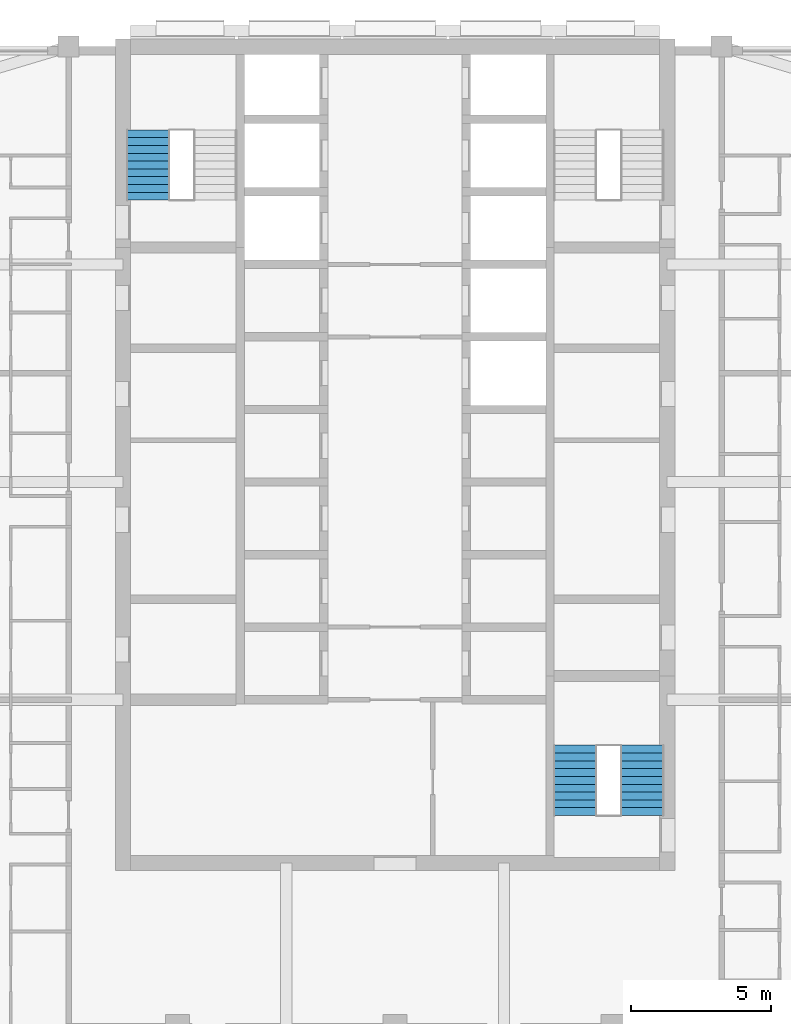
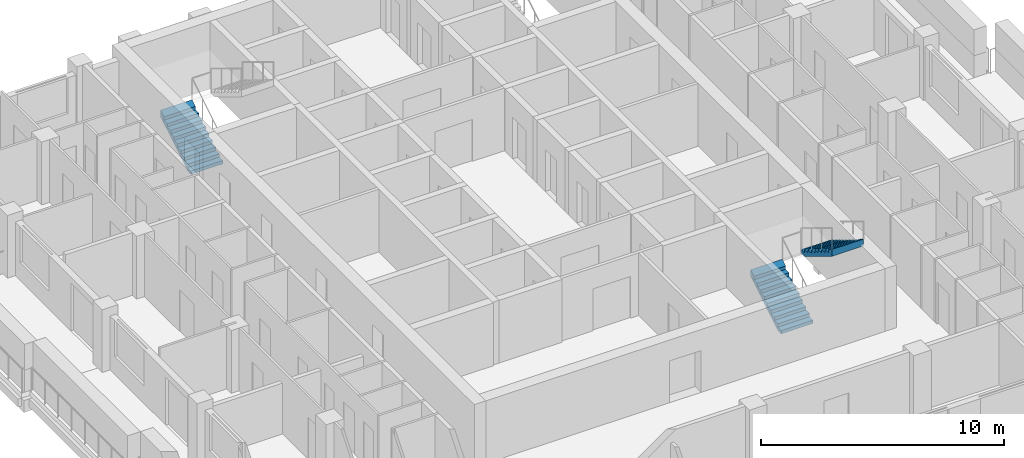
# One storey, part 10 of 13: 3 stair flights, 2 elements without a shape of their own.
"""IFC4 building model written with IfcOpenShell, lengths in metres."""

from ifc_helpers import new_model, si_unit, direction, frame, origin, place, context, subcontext, project, spatial, triangles, material, type_object, element, aggregate, save


model = new_model("IFC4")

# Units and contexts
model_context = context("Model", 3, precision=1e-05, world=origin(), true_north=direction((0.0, 1.0)))
body_context = subcontext(model_context, "Body", "Model", "MODEL_VIEW")
ifc_project = project(units=[si_unit("LENGTHUNIT", "METRE"), si_unit("AREAUNIT", "SQUARE_METRE"), si_unit("VOLUMEUNIT", "CUBIC_METRE"), si_unit("PLANEANGLEUNIT", "RADIAN"), si_unit("MASSUNIT", "GRAM", prefix="KILO")], contexts=[model_context])

# Site, building, storey
site_placement = place(None, origin())
site = spatial("IfcSite", under=ifc_project, at=site_placement, CompositionType="ELEMENT")
building_placement = place(site_placement, origin())
building = spatial("IfcBuilding", under=site, at=building_placement, Name="Ludao Terraces", CompositionType="ELEMENT")
storey_placement = place(building_placement, frame((0.0, 0.0, 158.800048828125)))
storey = spatial("IfcBuildingStorey", under=building, at=storey_placement, Name="L43", CompositionType="ELEMENT", Elevation=158.800048828125)

# Stair, stair flight
ifc_material = material(Name="Concrete C40", Category="concrete")
stair_type = type_object("IfcStairType", Name="INT Stair", PredefinedType="HALF_TURN_STAIR", material=ifc_material)
stair_1_placement = place(storey_placement, origin())
stair_1 = element("IfcStair", 1, at=stair_1_placement, inside=storey, type_object=stair_type, Name="EXIT STAIR 1", PredefinedType="HALF_TURN_STAIR")
stair_flight_type = type_object("IfcStairFlightType", Name="INT Stair flight", PredefinedType="STRAIGHT", material=ifc_material)
stair_flight_1_placement = place(storey_placement, frame((76.14990234375, 79.0, 0.0), z_axis=(0.0, 0.0, 1.0), x_axis=(0.0, 1.0, 0.0)))
stair_flight_1 = element("IfcStairFlight", 2, at=stair_flight_1_placement, type_object=stair_flight_type, Name="ST1 flight 1", NumberOfRisers=10, NumberOfTreads=9, PredefinedType="STRAIGHT", RiserHeight=0.17, TreadLength=0.28, context=body_context, shape_type="Tessellation", body=[
    triangles([(0.0, -0.75, 0.0), (0.0, -0.5, 0.0), (0.0, -0.25, 0.0), (0.0, 0.0, 0.0), (0.0, 0.25, 0.0), (0.0, 0.5, 0.0), (0.0, 0.75, 0.0), (0.0, -0.75, 0.169921875), (0.0, -0.5, 0.169921875), (0.0, -0.25, 0.169921875), (0.0, 0.0, 0.169921875), (0.0, 0.25, 0.169921875), (0.0, 0.5, 0.169921875), (0.0, 0.75, 0.169921875), (0.280029296875, -0.75, 0.169921875), (0.280029296875, -0.5, 0.169921875), (0.280029296875, -0.25, 0.169921875), (0.280029296875, 0.0, 0.169921875), (0.280029296875, 0.25, 0.169921875), (0.280029296875, 0.5, 0.169921875), (0.280029296875, 0.75, 0.169921875), (0.280029296875, -0.75, 0.340087890625), (0.280029296875, -0.5, 0.340087890625), (0.280029296875, -0.25, 0.340087890625), (0.280029296875, 0.0, 0.340087890625), (0.280029296875, 0.25, 0.340087890625), (0.280029296875, 0.5, 0.340087890625), (0.280029296875, 0.75, 0.340087890625), (0.56005859375, -0.75, 0.340087890625), (0.56005859375, -0.5, 0.340087890625), (0.56005859375, -0.25, 0.340087890625), (0.56005859375, 0.0, 0.340087890625), (0.56005859375, 0.25, 0.340087890625), (0.56005859375, 0.5, 0.340087890625), (0.56005859375, 0.75, 0.340087890625), (0.56005859375, -0.75, 0.510009765625), (0.56005859375, -0.5, 0.510009765625), (0.56005859375, -0.25, 0.510009765625), (0.56005859375, 0.0, 0.510009765625), (0.56005859375, 0.25, 0.510009765625), (0.56005859375, 0.5, 0.510009765625), (0.56005859375, 0.75, 0.510009765625), (0.840087890625, -0.75, 0.510009765625), (0.840087890625, -0.5, 0.510009765625), (0.840087890625, -0.25, 0.510009765625), (0.840087890625, 0.0, 0.510009765625), (0.840087890625, 0.25, 0.510009765625), (0.840087890625, 0.5, 0.510009765625), (0.840087890625, 0.75, 0.510009765625), (0.840087890625, -0.75, 0.679931640625), (0.840087890625, -0.5, 0.679931640625), (0.840087890625, -0.25, 0.679931640625), (0.840087890625, 0.0, 0.679931640625), (0.840087890625, 0.25, 0.679931640625), (0.840087890625, 0.5, 0.679931640625), (0.840087890625, 0.75, 0.679931640625), (1.1201171875, -0.75, 0.679931640625), (1.1201171875, -0.5, 0.679931640625), (1.1201171875, -0.25, 0.679931640625), (1.1201171875, 0.0, 0.679931640625), (1.1201171875, 0.25, 0.679931640625), (1.1201171875, 0.5, 0.679931640625), (1.1201171875, 0.75, 0.679931640625), (1.1201171875, -0.75, 0.85009765625), (1.1201171875, -0.5, 0.85009765625), (1.1201171875, -0.25, 0.85009765625), (1.1201171875, 0.0, 0.85009765625), (1.1201171875, 0.25, 0.85009765625), (1.1201171875, 0.5, 0.85009765625), (1.1201171875, 0.75, 0.85009765625), (1.39990234375, -0.75, 0.85009765625), (1.39990234375, -0.5, 0.85009765625), (1.39990234375, -0.25, 0.85009765625), (1.39990234375, 0.0, 0.85009765625), (1.39990234375, 0.25, 0.85009765625), (1.39990234375, 0.5, 0.85009765625), (1.39990234375, 0.75, 0.85009765625), (1.39990234375, -0.75, 1.02001953125), (1.39990234375, -0.5, 1.02001953125), (1.39990234375, -0.25, 1.02001953125), (1.39990234375, 0.0, 1.02001953125), (1.39990234375, 0.25, 1.02001953125), (1.39990234375, 0.5, 1.02001953125), (1.39990234375, 0.75, 1.02001953125), (1.679931640625, -0.75, 1.02001953125), (1.679931640625, -0.5, 1.02001953125), (1.679931640625, -0.25, 1.02001953125), (1.679931640625, 0.0, 1.02001953125), (1.679931640625, 0.25, 1.02001953125), (1.679931640625, 0.5, 1.02001953125), (1.679931640625, 0.75, 1.02001953125), (1.679931640625, -0.75, 1.18994140625), (1.679931640625, -0.5, 1.18994140625), (1.679931640625, -0.25, 1.18994140625), (1.679931640625, 0.0, 1.18994140625), (1.679931640625, 0.25, 1.18994140625), (1.679931640625, 0.5, 1.18994140625), (1.679931640625, 0.75, 1.18994140625), (1.9599609375, -0.75, 1.18994140625), (1.9599609375, -0.5, 1.18994140625), (1.9599609375, -0.25, 1.18994140625), (1.9599609375, 0.0, 1.18994140625), (1.9599609375, 0.25, 1.18994140625), (1.9599609375, 0.5, 1.18994140625), (1.9599609375, 0.75, 1.18994140625), (1.9599609375, -0.75, 1.360107421875), (1.9599609375, -0.5, 1.360107421875), (1.9599609375, -0.25, 1.360107421875), (1.9599609375, 0.0, 1.360107421875), (1.9599609375, 0.25, 1.360107421875), (1.9599609375, 0.5, 1.360107421875), (1.9599609375, 0.75, 1.360107421875), (2.239990234375, -0.75, 1.360107421875), (2.239990234375, -0.5, 1.360107421875), (2.239990234375, -0.25, 1.360107421875), (2.239990234375, 0.0, 1.360107421875), (2.239990234375, 0.25, 1.360107421875), (2.239990234375, 0.5, 1.360107421875), (2.239990234375, 0.75, 1.360107421875), (2.239990234375, -0.75, 1.530029296875), (2.239990234375, -0.5, 1.530029296875), (2.239990234375, -0.25, 1.530029296875), (2.239990234375, 0.0, 1.530029296875), (2.239990234375, 0.25, 1.530029296875), (2.239990234375, 0.5, 1.530029296875), (2.239990234375, 0.75, 1.530029296875), (2.52001953125, -0.75, 1.699951171875), (2.52001953125, -0.5, 1.699951171875), (2.52001953125, -0.25, 1.699951171875), (2.52001953125, 0.0, 1.699951171875), (2.52001953125, 0.25, 1.699951171875), (2.52001953125, 0.5, 1.699951171875), (2.52001953125, 0.75, 1.699951171875), (2.52001953125, -0.75, 1.354736328125), (2.52001953125, -0.5, 1.354736328125), (2.52001953125, -0.25, 1.354736328125), (2.52001953125, 0.0, 1.354736328125), (2.52001953125, 0.25, 1.354736328125), (2.52001953125, 0.5, 1.354736328125), (2.52001953125, 0.75, 1.354736328125), (0.288818359375, -0.75, 0.0), (0.288818359375, -0.5, 0.0), (0.288818359375, -0.25, 0.0), (0.288818359375, 0.0, 0.0), (0.288818359375, 0.25, 0.0), (0.288818359375, 0.5, 0.0), (0.288818359375, 0.75, 0.0)], [[1, 141, 134], [7, 140, 147], [134, 127, 120], [140, 126, 133], [134, 120, 113], [140, 119, 126], [134, 113, 106], [140, 112, 119], [134, 106, 99], [140, 105, 112], [99, 92, 85], [105, 91, 98], [134, 99, 85], [140, 91, 105], [85, 78, 71], [91, 77, 84], [134, 85, 71], [140, 77, 91], [71, 64, 57], [77, 63, 70], [134, 71, 57], [140, 63, 77], [57, 50, 43], [63, 49, 56], [134, 57, 43], [140, 49, 63], [43, 36, 29], [49, 35, 42], [134, 43, 29], [140, 35, 49], [29, 22, 15], [35, 21, 28], [134, 29, 15], [140, 21, 35], [1, 134, 15], [7, 21, 140], [15, 8, 1], [21, 7, 14], [1, 9, 2], [1, 8, 9], [2, 10, 3], [2, 9, 10], [3, 11, 4], [3, 10, 11], [4, 12, 5], [4, 11, 12], [5, 13, 6], [5, 12, 13], [6, 14, 7], [6, 13, 14], [8, 16, 9], [8, 15, 16], [9, 17, 10], [9, 16, 17], [10, 18, 11], [10, 17, 18], [11, 19, 12], [11, 18, 19], [12, 20, 13], [12, 19, 20], [13, 21, 14], [13, 20, 21], [15, 23, 16], [15, 22, 23], [16, 24, 17], [16, 23, 24], [17, 25, 18], [17, 24, 25], [18, 26, 19], [18, 25, 26], [19, 27, 20], [19, 26, 27], [20, 28, 21], [20, 27, 28], [22, 30, 23], [22, 29, 30], [23, 31, 24], [23, 30, 31], [24, 32, 25], [24, 31, 32], [25, 33, 26], [25, 32, 33], [26, 34, 27], [26, 33, 34], [27, 35, 28], [27, 34, 35], [29, 37, 30], [29, 36, 37], [30, 38, 31], [30, 37, 38], [31, 39, 32], [31, 38, 39], [32, 40, 33], [32, 39, 40], [33, 41, 34], [33, 40, 41], [34, 42, 35], [34, 41, 42], [36, 44, 37], [36, 43, 44], [37, 45, 38], [37, 44, 45], [38, 46, 39], [38, 45, 46], [39, 47, 40], [39, 46, 47], [40, 48, 41], [40, 47, 48], [41, 49, 42], [41, 48, 49], [43, 51, 44], [43, 50, 51], [44, 52, 45], [44, 51, 52], [45, 53, 46], [45, 52, 53], [46, 54, 47], [46, 53, 54], [47, 55, 48], [47, 54, 55], [48, 56, 49], [48, 55, 56], [50, 58, 51], [50, 57, 58], [51, 59, 52], [51, 58, 59], [52, 60, 53], [52, 59, 60], [53, 61, 54], [53, 60, 61], [54, 62, 55], [54, 61, 62], [55, 63, 56], [55, 62, 63], [57, 65, 58], [57, 64, 65], [58, 66, 59], [58, 65, 66], [59, 67, 60], [59, 66, 67], [60, 68, 61], [60, 67, 68], [61, 69, 62], [61, 68, 69], [62, 70, 63], [62, 69, 70], [64, 72, 65], [64, 71, 72], [65, 73, 66], [65, 72, 73], [66, 74, 67], [66, 73, 74], [67, 75, 68], [67, 74, 75], [68, 76, 69], [68, 75, 76], [69, 77, 70], [69, 76, 77], [71, 79, 72], [71, 78, 79], [72, 80, 73], [72, 79, 80], [73, 81, 74], [73, 80, 81], [74, 82, 75], [74, 81, 82], [75, 83, 76], [75, 82, 83], [76, 84, 77], [76, 83, 84], [78, 86, 79], [78, 85, 86], [79, 87, 80], [79, 86, 87], [80, 88, 81], [80, 87, 88], [81, 89, 82], [81, 88, 89], [82, 90, 83], [82, 89, 90], [83, 91, 84], [83, 90, 91], [85, 93, 86], [85, 92, 93], [86, 94, 87], [86, 93, 94], [87, 95, 88], [87, 94, 95], [88, 96, 89], [88, 95, 96], [89, 97, 90], [89, 96, 97], [90, 98, 91], [90, 97, 98], [92, 100, 93], [92, 99, 100], [93, 101, 94], [93, 100, 101], [94, 102, 95], [94, 101, 102], [95, 103, 96], [95, 102, 103], [96, 104, 97], [96, 103, 104], [97, 105, 98], [97, 104, 105], [99, 107, 100], [99, 106, 107], [100, 108, 101], [100, 107, 108], [101, 109, 102], [101, 108, 109], [102, 110, 103], [102, 109, 110], [103, 111, 104], [103, 110, 111], [104, 112, 105], [104, 111, 112], [106, 114, 107], [106, 113, 114], [107, 115, 108], [107, 114, 115], [108, 116, 109], [108, 115, 116], [109, 117, 110], [109, 116, 117], [110, 118, 111], [110, 117, 118], [111, 119, 112], [111, 118, 119], [113, 121, 114], [113, 120, 121], [114, 122, 115], [114, 121, 122], [115, 123, 116], [115, 122, 123], [116, 124, 117], [116, 123, 124], [117, 125, 118], [117, 124, 125], [118, 126, 119], [118, 125, 126], [120, 128, 121], [120, 127, 128], [121, 129, 122], [121, 128, 129], [122, 130, 123], [122, 129, 130], [123, 131, 124], [123, 130, 131], [124, 132, 125], [124, 131, 132], [125, 133, 126], [125, 132, 133], [127, 135, 128], [127, 134, 135], [128, 136, 129], [128, 135, 136], [129, 137, 130], [129, 136, 137], [130, 138, 131], [130, 137, 138], [131, 139, 132], [131, 138, 139], [132, 140, 133], [132, 139, 140], [134, 142, 135], [134, 141, 142], [135, 143, 136], [135, 142, 143], [136, 144, 137], [136, 143, 144], [137, 145, 138], [137, 144, 145], [138, 146, 139], [138, 145, 146], [139, 147, 140], [139, 146, 147], [141, 2, 142], [141, 1, 2], [142, 3, 143], [142, 2, 3], [143, 4, 144], [143, 3, 4], [144, 5, 145], [144, 4, 5], [145, 6, 146], [145, 5, 6], [146, 7, 147], [146, 6, 7]], closed=True),
])
aggregate(stair_1, [stair_flight_1])

# Stair, stair flights
stair_2_placement = place(storey_placement, origin())
stair_2 = element("IfcStair", 3, at=stair_2_placement, inside=storey, type_object=stair_type, Name="EXIT STAIR 3", PredefinedType="HALF_TURN_STAIR")
stair_flight_2_placement = place(storey_placement, frame((91.449951171875, 56.949951171875, 0.0), z_axis=(0.0, 0.0, 1.0), x_axis=(0.0, 1.0, 0.0)))
stair_flight_2 = element("IfcStairFlight", 4, at=stair_flight_2_placement, type_object=stair_flight_type, Name="ST3 flight 1", NumberOfRisers=10, NumberOfTreads=9, PredefinedType="STRAIGHT", RiserHeight=0.17, TreadLength=0.28, context=body_context, shape_type="Tessellation", body=[
    triangles([(0.0, -0.75, 0.0), (0.0, -0.5, 0.0), (0.0, -0.25, 0.0), (0.0, 0.0, 0.0), (0.0, 0.25, 0.0), (0.0, 0.5, 0.0), (0.0, 0.75, 0.0), (0.0, -0.75, 0.169921875), (0.0, -0.5, 0.169921875), (0.0, -0.25, 0.169921875), (0.0, 0.0, 0.169921875), (0.0, 0.25, 0.169921875), (0.0, 0.5, 0.169921875), (0.0, 0.75, 0.169921875), (0.280029296875, -0.75, 0.169921875), (0.280029296875, -0.5, 0.169921875), (0.280029296875, -0.25, 0.169921875), (0.280029296875, 0.0, 0.169921875), (0.280029296875, 0.25, 0.169921875), (0.280029296875, 0.5, 0.169921875), (0.280029296875, 0.75, 0.169921875), (0.280029296875, -0.75, 0.340087890625), (0.280029296875, -0.5, 0.340087890625), (0.280029296875, -0.25, 0.340087890625), (0.280029296875, 0.0, 0.340087890625), (0.280029296875, 0.25, 0.340087890625), (0.280029296875, 0.5, 0.340087890625), (0.280029296875, 0.75, 0.340087890625), (0.56005859375, -0.75, 0.340087890625), (0.56005859375, -0.5, 0.340087890625), (0.56005859375, -0.25, 0.340087890625), (0.56005859375, 0.0, 0.340087890625), (0.56005859375, 0.25, 0.340087890625), (0.56005859375, 0.5, 0.340087890625), (0.56005859375, 0.75, 0.340087890625), (0.56005859375, -0.75, 0.510009765625), (0.56005859375, -0.5, 0.510009765625), (0.56005859375, -0.25, 0.510009765625), (0.56005859375, 0.0, 0.510009765625), (0.56005859375, 0.25, 0.510009765625), (0.56005859375, 0.5, 0.510009765625), (0.56005859375, 0.75, 0.510009765625), (0.840087890625, -0.75, 0.510009765625), (0.840087890625, -0.5, 0.510009765625), (0.840087890625, -0.25, 0.510009765625), (0.840087890625, 0.0, 0.510009765625), (0.840087890625, 0.25, 0.510009765625), (0.840087890625, 0.5, 0.510009765625), (0.840087890625, 0.75, 0.510009765625), (0.840087890625, -0.75, 0.679931640625), (0.840087890625, -0.5, 0.679931640625), (0.840087890625, -0.25, 0.679931640625), (0.840087890625, 0.0, 0.679931640625), (0.840087890625, 0.25, 0.679931640625), (0.840087890625, 0.5, 0.679931640625), (0.840087890625, 0.75, 0.679931640625), (1.1201171875, -0.75, 0.679931640625), (1.1201171875, -0.5, 0.679931640625), (1.1201171875, -0.25, 0.679931640625), (1.1201171875, 0.0, 0.679931640625), (1.1201171875, 0.25, 0.679931640625), (1.1201171875, 0.5, 0.679931640625), (1.1201171875, 0.75, 0.679931640625), (1.1201171875, -0.75, 0.85009765625), (1.1201171875, -0.5, 0.85009765625), (1.1201171875, -0.25, 0.85009765625), (1.1201171875, 0.0, 0.85009765625), (1.1201171875, 0.25, 0.85009765625), (1.1201171875, 0.5, 0.85009765625), (1.1201171875, 0.75, 0.85009765625), (1.39990234375, -0.75, 0.85009765625), (1.39990234375, -0.5, 0.85009765625), (1.39990234375, -0.25, 0.85009765625), (1.39990234375, 0.0, 0.85009765625), (1.39990234375, 0.25, 0.85009765625), (1.39990234375, 0.5, 0.85009765625), (1.39990234375, 0.75, 0.85009765625), (1.39990234375, -0.75, 1.02001953125), (1.39990234375, -0.5, 1.02001953125), (1.39990234375, -0.25, 1.02001953125), (1.39990234375, 0.0, 1.02001953125), (1.39990234375, 0.25, 1.02001953125), (1.39990234375, 0.5, 1.02001953125), (1.39990234375, 0.75, 1.02001953125), (1.679931640625, -0.75, 1.02001953125), (1.679931640625, -0.5, 1.02001953125), (1.679931640625, -0.25, 1.02001953125), (1.679931640625, 0.0, 1.02001953125), (1.679931640625, 0.25, 1.02001953125), (1.679931640625, 0.5, 1.02001953125), (1.679931640625, 0.75, 1.02001953125), (1.679931640625, -0.75, 1.18994140625), (1.679931640625, -0.5, 1.18994140625), (1.679931640625, -0.25, 1.18994140625), (1.679931640625, 0.0, 1.18994140625), (1.679931640625, 0.25, 1.18994140625), (1.679931640625, 0.5, 1.18994140625), (1.679931640625, 0.75, 1.18994140625), (1.9599609375, -0.75, 1.18994140625), (1.9599609375, -0.5, 1.18994140625), (1.9599609375, -0.25, 1.18994140625), (1.9599609375, 0.0, 1.18994140625), (1.9599609375, 0.25, 1.18994140625), (1.9599609375, 0.5, 1.18994140625), (1.9599609375, 0.75, 1.18994140625), (1.9599609375, -0.75, 1.360107421875), (1.9599609375, -0.5, 1.360107421875), (1.9599609375, -0.25, 1.360107421875), (1.9599609375, 0.0, 1.360107421875), (1.9599609375, 0.25, 1.360107421875), (1.9599609375, 0.5, 1.360107421875), (1.9599609375, 0.75, 1.360107421875), (2.239990234375, -0.75, 1.360107421875), (2.239990234375, -0.5, 1.360107421875), (2.239990234375, -0.25, 1.360107421875), (2.239990234375, 0.0, 1.360107421875), (2.239990234375, 0.25, 1.360107421875), (2.239990234375, 0.5, 1.360107421875), (2.239990234375, 0.75, 1.360107421875), (2.239990234375, -0.75, 1.530029296875), (2.239990234375, -0.5, 1.530029296875), (2.239990234375, -0.25, 1.530029296875), (2.239990234375, 0.0, 1.530029296875), (2.239990234375, 0.25, 1.530029296875), (2.239990234375, 0.5, 1.530029296875), (2.239990234375, 0.75, 1.530029296875), (2.52001953125, -0.75, 1.699951171875), (2.52001953125, -0.5, 1.699951171875), (2.52001953125, -0.25, 1.699951171875), (2.52001953125, 0.0, 1.699951171875), (2.52001953125, 0.25, 1.699951171875), (2.52001953125, 0.5, 1.699951171875), (2.52001953125, 0.75, 1.699951171875), (2.52001953125, -0.75, 1.354736328125), (2.52001953125, -0.5, 1.354736328125), (2.52001953125, -0.25, 1.354736328125), (2.52001953125, 0.0, 1.354736328125), (2.52001953125, 0.25, 1.354736328125), (2.52001953125, 0.5, 1.354736328125), (2.52001953125, 0.75, 1.354736328125), (0.288818359375, -0.75, 0.0), (0.288818359375, -0.5, 0.0), (0.288818359375, -0.25, 0.0), (0.288818359375, 0.0, 0.0), (0.288818359375, 0.25, 0.0), (0.288818359375, 0.5, 0.0), (0.288818359375, 0.75, 0.0)], [[1, 141, 134], [7, 140, 147], [134, 127, 120], [140, 126, 133], [134, 120, 113], [140, 119, 126], [134, 113, 106], [140, 112, 119], [134, 106, 99], [140, 105, 112], [99, 92, 85], [105, 91, 98], [134, 99, 85], [140, 91, 105], [85, 78, 71], [91, 77, 84], [134, 85, 71], [140, 77, 91], [71, 64, 57], [77, 63, 70], [134, 71, 57], [140, 63, 77], [57, 50, 43], [63, 49, 56], [134, 57, 43], [140, 49, 63], [43, 36, 29], [49, 35, 42], [134, 43, 29], [140, 35, 49], [29, 22, 15], [35, 21, 28], [134, 29, 15], [140, 21, 35], [1, 134, 15], [7, 21, 140], [15, 8, 1], [21, 7, 14], [1, 9, 2], [1, 8, 9], [2, 10, 3], [2, 9, 10], [3, 11, 4], [3, 10, 11], [4, 12, 5], [4, 11, 12], [5, 13, 6], [5, 12, 13], [6, 14, 7], [6, 13, 14], [8, 16, 9], [8, 15, 16], [9, 17, 10], [9, 16, 17], [10, 18, 11], [10, 17, 18], [11, 19, 12], [11, 18, 19], [12, 20, 13], [12, 19, 20], [13, 21, 14], [13, 20, 21], [15, 23, 16], [15, 22, 23], [16, 24, 17], [16, 23, 24], [17, 25, 18], [17, 24, 25], [18, 26, 19], [18, 25, 26], [19, 27, 20], [19, 26, 27], [20, 28, 21], [20, 27, 28], [22, 30, 23], [22, 29, 30], [23, 31, 24], [23, 30, 31], [24, 32, 25], [24, 31, 32], [25, 33, 26], [25, 32, 33], [26, 34, 27], [26, 33, 34], [27, 35, 28], [27, 34, 35], [29, 37, 30], [29, 36, 37], [30, 38, 31], [30, 37, 38], [31, 39, 32], [31, 38, 39], [32, 40, 33], [32, 39, 40], [33, 41, 34], [33, 40, 41], [34, 42, 35], [34, 41, 42], [36, 44, 37], [36, 43, 44], [37, 45, 38], [37, 44, 45], [38, 46, 39], [38, 45, 46], [39, 47, 40], [39, 46, 47], [40, 48, 41], [40, 47, 48], [41, 49, 42], [41, 48, 49], [43, 51, 44], [43, 50, 51], [44, 52, 45], [44, 51, 52], [45, 53, 46], [45, 52, 53], [46, 54, 47], [46, 53, 54], [47, 55, 48], [47, 54, 55], [48, 56, 49], [48, 55, 56], [50, 58, 51], [50, 57, 58], [51, 59, 52], [51, 58, 59], [52, 60, 53], [52, 59, 60], [53, 61, 54], [53, 60, 61], [54, 62, 55], [54, 61, 62], [55, 63, 56], [55, 62, 63], [57, 65, 58], [57, 64, 65], [58, 66, 59], [58, 65, 66], [59, 67, 60], [59, 66, 67], [60, 68, 61], [60, 67, 68], [61, 69, 62], [61, 68, 69], [62, 70, 63], [62, 69, 70], [64, 72, 65], [64, 71, 72], [65, 73, 66], [65, 72, 73], [66, 74, 67], [66, 73, 74], [67, 75, 68], [67, 74, 75], [68, 76, 69], [68, 75, 76], [69, 77, 70], [69, 76, 77], [71, 79, 72], [71, 78, 79], [72, 80, 73], [72, 79, 80], [73, 81, 74], [73, 80, 81], [74, 82, 75], [74, 81, 82], [75, 83, 76], [75, 82, 83], [76, 84, 77], [76, 83, 84], [78, 86, 79], [78, 85, 86], [79, 87, 80], [79, 86, 87], [80, 88, 81], [80, 87, 88], [81, 89, 82], [81, 88, 89], [82, 90, 83], [82, 89, 90], [83, 91, 84], [83, 90, 91], [85, 93, 86], [85, 92, 93], [86, 94, 87], [86, 93, 94], [87, 95, 88], [87, 94, 95], [88, 96, 89], [88, 95, 96], [89, 97, 90], [89, 96, 97], [90, 98, 91], [90, 97, 98], [92, 100, 93], [92, 99, 100], [93, 101, 94], [93, 100, 101], [94, 102, 95], [94, 101, 102], [95, 103, 96], [95, 102, 103], [96, 104, 97], [96, 103, 104], [97, 105, 98], [97, 104, 105], [99, 107, 100], [99, 106, 107], [100, 108, 101], [100, 107, 108], [101, 109, 102], [101, 108, 109], [102, 110, 103], [102, 109, 110], [103, 111, 104], [103, 110, 111], [104, 112, 105], [104, 111, 112], [106, 114, 107], [106, 113, 114], [107, 115, 108], [107, 114, 115], [108, 116, 109], [108, 115, 116], [109, 117, 110], [109, 116, 117], [110, 118, 111], [110, 117, 118], [111, 119, 112], [111, 118, 119], [113, 121, 114], [113, 120, 121], [114, 122, 115], [114, 121, 122], [115, 123, 116], [115, 122, 123], [116, 124, 117], [116, 123, 124], [117, 125, 118], [117, 124, 125], [118, 126, 119], [118, 125, 126], [120, 128, 121], [120, 127, 128], [121, 129, 122], [121, 128, 129], [122, 130, 123], [122, 129, 130], [123, 131, 124], [123, 130, 131], [124, 132, 125], [124, 131, 132], [125, 133, 126], [125, 132, 133], [127, 135, 128], [127, 134, 135], [128, 136, 129], [128, 135, 136], [129, 137, 130], [129, 136, 137], [130, 138, 131], [130, 137, 138], [131, 139, 132], [131, 138, 139], [132, 140, 133], [132, 139, 140], [134, 142, 135], [134, 141, 142], [135, 143, 136], [135, 142, 143], [136, 144, 137], [136, 143, 144], [137, 145, 138], [137, 144, 145], [138, 146, 139], [138, 145, 146], [139, 147, 140], [139, 146, 147], [141, 2, 142], [141, 1, 2], [142, 3, 143], [142, 2, 3], [143, 4, 144], [143, 3, 4], [144, 5, 145], [144, 4, 5], [145, 6, 146], [145, 5, 6], [146, 7, 147], [146, 6, 7]], closed=True),
])
stair_flight_3_placement = place(storey_placement, frame((93.85009765625, 59.469970703125, 1.699951171875), z_axis=(0.0, 0.0, 1.0), x_axis=(0.0, -1.0, 0.0)))
stair_flight_3 = element("IfcStairFlight", 5, at=stair_flight_3_placement, type_object=stair_flight_type, Name="ST3 flight 2", NumberOfRisers=10, NumberOfTreads=9, PredefinedType="STRAIGHT", RiserHeight=0.17, TreadLength=0.28, context=body_context, shape_type="Tessellation", body=[
    triangles([(0.0, -0.75, 0.0), (0.0, -0.5, 0.0), (0.0, -0.25, 0.0), (0.0, 0.0, 0.0), (0.0, 0.25, 0.0), (0.0, 0.5, 0.0), (0.0, 0.75, 0.0), (0.0, -0.75, 0.169921875), (0.0, -0.5, 0.169921875), (0.0, -0.25, 0.169921875), (0.0, 0.0, 0.169921875), (0.0, 0.25, 0.169921875), (0.0, 0.5, 0.169921875), (0.0, 0.75, 0.169921875), (0.280029296875, -0.75, 0.169921875), (0.280029296875, -0.5, 0.169921875), (0.280029296875, -0.25, 0.169921875), (0.280029296875, 0.0, 0.169921875), (0.280029296875, 0.25, 0.169921875), (0.280029296875, 0.5, 0.169921875), (0.280029296875, 0.75, 0.169921875), (0.280029296875, -0.75, 0.340087890625), (0.280029296875, -0.5, 0.340087890625), (0.280029296875, -0.25, 0.340087890625), (0.280029296875, 0.0, 0.340087890625), (0.280029296875, 0.25, 0.340087890625), (0.280029296875, 0.5, 0.340087890625), (0.280029296875, 0.75, 0.340087890625), (0.56005859375, -0.75, 0.340087890625), (0.56005859375, -0.5, 0.340087890625), (0.56005859375, -0.25, 0.340087890625), (0.56005859375, 0.0, 0.340087890625), (0.56005859375, 0.25, 0.340087890625), (0.56005859375, 0.5, 0.340087890625), (0.56005859375, 0.75, 0.340087890625), (0.56005859375, -0.75, 0.510009765625), (0.56005859375, -0.5, 0.510009765625), (0.56005859375, -0.25, 0.510009765625), (0.56005859375, 0.0, 0.510009765625), (0.56005859375, 0.25, 0.510009765625), (0.56005859375, 0.5, 0.510009765625), (0.56005859375, 0.75, 0.510009765625), (0.840087890625, -0.75, 0.510009765625), (0.840087890625, -0.5, 0.510009765625), (0.840087890625, -0.25, 0.510009765625), (0.840087890625, 0.0, 0.510009765625), (0.840087890625, 0.25, 0.510009765625), (0.840087890625, 0.5, 0.510009765625), (0.840087890625, 0.75, 0.510009765625), (0.840087890625, -0.75, 0.679931640625), (0.840087890625, -0.5, 0.679931640625), (0.840087890625, -0.25, 0.679931640625), (0.840087890625, 0.0, 0.679931640625), (0.840087890625, 0.25, 0.679931640625), (0.840087890625, 0.5, 0.679931640625), (0.840087890625, 0.75, 0.679931640625), (1.1201171875, -0.75, 0.679931640625), (1.1201171875, -0.5, 0.679931640625), (1.1201171875, -0.25, 0.679931640625), (1.1201171875, 0.0, 0.679931640625), (1.1201171875, 0.25, 0.679931640625), (1.1201171875, 0.5, 0.679931640625), (1.1201171875, 0.75, 0.679931640625), (1.1201171875, -0.75, 0.85009765625), (1.1201171875, -0.5, 0.85009765625), (1.1201171875, -0.25, 0.85009765625), (1.1201171875, 0.0, 0.85009765625), (1.1201171875, 0.25, 0.85009765625), (1.1201171875, 0.5, 0.85009765625), (1.1201171875, 0.75, 0.85009765625), (1.39990234375, -0.75, 0.85009765625), (1.39990234375, -0.5, 0.85009765625), (1.39990234375, -0.25, 0.85009765625), (1.39990234375, 0.0, 0.85009765625), (1.39990234375, 0.25, 0.85009765625), (1.39990234375, 0.5, 0.85009765625), (1.39990234375, 0.75, 0.85009765625), (1.39990234375, -0.75, 1.02001953125), (1.39990234375, -0.5, 1.02001953125), (1.39990234375, -0.25, 1.02001953125), (1.39990234375, 0.0, 1.02001953125), (1.39990234375, 0.25, 1.02001953125), (1.39990234375, 0.5, 1.02001953125), (1.39990234375, 0.75, 1.02001953125), (1.679931640625, -0.75, 1.02001953125), (1.679931640625, -0.5, 1.02001953125), (1.679931640625, -0.25, 1.02001953125), (1.679931640625, 0.0, 1.02001953125), (1.679931640625, 0.25, 1.02001953125), (1.679931640625, 0.5, 1.02001953125), (1.679931640625, 0.75, 1.02001953125), (1.679931640625, -0.75, 1.18994140625), (1.679931640625, -0.5, 1.18994140625), (1.679931640625, -0.25, 1.18994140625), (1.679931640625, 0.0, 1.18994140625), (1.679931640625, 0.25, 1.18994140625), (1.679931640625, 0.5, 1.18994140625), (1.679931640625, 0.75, 1.18994140625), (1.9599609375, -0.75, 1.18994140625), (1.9599609375, -0.5, 1.18994140625), (1.9599609375, -0.25, 1.18994140625), (1.9599609375, 0.0, 1.18994140625), (1.9599609375, 0.25, 1.18994140625), (1.9599609375, 0.5, 1.18994140625), (1.9599609375, 0.75, 1.18994140625), (1.9599609375, -0.75, 1.360107421875), (1.9599609375, -0.5, 1.360107421875), (1.9599609375, -0.25, 1.360107421875), (1.9599609375, 0.0, 1.360107421875), (1.9599609375, 0.25, 1.360107421875), (1.9599609375, 0.5, 1.360107421875), (1.9599609375, 0.75, 1.360107421875), (2.239990234375, -0.75, 1.360107421875), (2.239990234375, -0.5, 1.360107421875), (2.239990234375, -0.25, 1.360107421875), (2.239990234375, 0.0, 1.360107421875), (2.239990234375, 0.25, 1.360107421875), (2.239990234375, 0.5, 1.360107421875), (2.239990234375, 0.75, 1.360107421875), (2.239990234375, -0.75, 1.530029296875), (2.239990234375, -0.5, 1.530029296875), (2.239990234375, -0.25, 1.530029296875), (2.239990234375, 0.0, 1.530029296875), (2.239990234375, 0.25, 1.530029296875), (2.239990234375, 0.5, 1.530029296875), (2.239990234375, 0.75, 1.530029296875), (2.52001953125, -0.75, 1.699951171875), (2.52001953125, -0.5, 1.699951171875), (2.52001953125, -0.25, 1.699951171875), (2.52001953125, 0.0, 1.699951171875), (2.52001953125, 0.25, 1.699951171875), (2.52001953125, 0.5, 1.699951171875), (2.52001953125, 0.75, 1.699951171875), (2.52001953125, -0.75, 1.354736328125), (2.52001953125, -0.5, 1.354736328125), (2.52001953125, -0.25, 1.354736328125), (2.52001953125, 0.0, 1.354736328125), (2.52001953125, 0.25, 1.354736328125), (2.52001953125, 0.5, 1.354736328125), (2.52001953125, 0.75, 1.354736328125), (0.288818359375, -0.75, 0.0), (0.288818359375, -0.5, 0.0), (0.288818359375, -0.25, 0.0), (0.288818359375, 0.0, 0.0), (0.288818359375, 0.25, 0.0), (0.288818359375, 0.5, 0.0), (0.288818359375, 0.75, 0.0)], [[1, 141, 134], [7, 140, 147], [134, 127, 120], [140, 126, 133], [134, 120, 113], [140, 119, 126], [134, 113, 106], [140, 112, 119], [134, 106, 99], [140, 105, 112], [99, 92, 85], [105, 91, 98], [134, 99, 85], [140, 91, 105], [85, 78, 71], [91, 77, 84], [134, 85, 71], [140, 77, 91], [71, 64, 57], [77, 63, 70], [134, 71, 57], [140, 63, 77], [57, 50, 43], [63, 49, 56], [134, 57, 43], [140, 49, 63], [43, 36, 29], [49, 35, 42], [134, 43, 29], [140, 35, 49], [29, 22, 15], [35, 21, 28], [134, 29, 15], [140, 21, 35], [1, 134, 15], [7, 21, 140], [15, 8, 1], [21, 7, 14], [1, 9, 2], [1, 8, 9], [2, 10, 3], [2, 9, 10], [3, 11, 4], [3, 10, 11], [4, 12, 5], [4, 11, 12], [5, 13, 6], [5, 12, 13], [6, 14, 7], [6, 13, 14], [8, 16, 9], [8, 15, 16], [9, 17, 10], [9, 16, 17], [10, 18, 11], [10, 17, 18], [11, 19, 12], [11, 18, 19], [12, 20, 13], [12, 19, 20], [13, 21, 14], [13, 20, 21], [15, 23, 16], [15, 22, 23], [16, 24, 17], [16, 23, 24], [17, 25, 18], [17, 24, 25], [18, 26, 19], [18, 25, 26], [19, 27, 20], [19, 26, 27], [20, 28, 21], [20, 27, 28], [22, 30, 23], [22, 29, 30], [23, 31, 24], [23, 30, 31], [24, 32, 25], [24, 31, 32], [25, 33, 26], [25, 32, 33], [26, 34, 27], [26, 33, 34], [27, 35, 28], [27, 34, 35], [29, 37, 30], [29, 36, 37], [30, 38, 31], [30, 37, 38], [31, 39, 32], [31, 38, 39], [32, 40, 33], [32, 39, 40], [33, 41, 34], [33, 40, 41], [34, 42, 35], [34, 41, 42], [36, 44, 37], [36, 43, 44], [37, 45, 38], [37, 44, 45], [38, 46, 39], [38, 45, 46], [39, 47, 40], [39, 46, 47], [40, 48, 41], [40, 47, 48], [41, 49, 42], [41, 48, 49], [43, 51, 44], [43, 50, 51], [44, 52, 45], [44, 51, 52], [45, 53, 46], [45, 52, 53], [46, 54, 47], [46, 53, 54], [47, 55, 48], [47, 54, 55], [48, 56, 49], [48, 55, 56], [50, 58, 51], [50, 57, 58], [51, 59, 52], [51, 58, 59], [52, 60, 53], [52, 59, 60], [53, 61, 54], [53, 60, 61], [54, 62, 55], [54, 61, 62], [55, 63, 56], [55, 62, 63], [57, 65, 58], [57, 64, 65], [58, 66, 59], [58, 65, 66], [59, 67, 60], [59, 66, 67], [60, 68, 61], [60, 67, 68], [61, 69, 62], [61, 68, 69], [62, 70, 63], [62, 69, 70], [64, 72, 65], [64, 71, 72], [65, 73, 66], [65, 72, 73], [66, 74, 67], [66, 73, 74], [67, 75, 68], [67, 74, 75], [68, 76, 69], [68, 75, 76], [69, 77, 70], [69, 76, 77], [71, 79, 72], [71, 78, 79], [72, 80, 73], [72, 79, 80], [73, 81, 74], [73, 80, 81], [74, 82, 75], [74, 81, 82], [75, 83, 76], [75, 82, 83], [76, 84, 77], [76, 83, 84], [78, 86, 79], [78, 85, 86], [79, 87, 80], [79, 86, 87], [80, 88, 81], [80, 87, 88], [81, 89, 82], [81, 88, 89], [82, 90, 83], [82, 89, 90], [83, 91, 84], [83, 90, 91], [85, 93, 86], [85, 92, 93], [86, 94, 87], [86, 93, 94], [87, 95, 88], [87, 94, 95], [88, 96, 89], [88, 95, 96], [89, 97, 90], [89, 96, 97], [90, 98, 91], [90, 97, 98], [92, 100, 93], [92, 99, 100], [93, 101, 94], [93, 100, 101], [94, 102, 95], [94, 101, 102], [95, 103, 96], [95, 102, 103], [96, 104, 97], [96, 103, 104], [97, 105, 98], [97, 104, 105], [99, 107, 100], [99, 106, 107], [100, 108, 101], [100, 107, 108], [101, 109, 102], [101, 108, 109], [102, 110, 103], [102, 109, 110], [103, 111, 104], [103, 110, 111], [104, 112, 105], [104, 111, 112], [106, 114, 107], [106, 113, 114], [107, 115, 108], [107, 114, 115], [108, 116, 109], [108, 115, 116], [109, 117, 110], [109, 116, 117], [110, 118, 111], [110, 117, 118], [111, 119, 112], [111, 118, 119], [113, 121, 114], [113, 120, 121], [114, 122, 115], [114, 121, 122], [115, 123, 116], [115, 122, 123], [116, 124, 117], [116, 123, 124], [117, 125, 118], [117, 124, 125], [118, 126, 119], [118, 125, 126], [120, 128, 121], [120, 127, 128], [121, 129, 122], [121, 128, 129], [122, 130, 123], [122, 129, 130], [123, 131, 124], [123, 130, 131], [124, 132, 125], [124, 131, 132], [125, 133, 126], [125, 132, 133], [127, 135, 128], [127, 134, 135], [128, 136, 129], [128, 135, 136], [129, 137, 130], [129, 136, 137], [130, 138, 131], [130, 137, 138], [131, 139, 132], [131, 138, 139], [132, 140, 133], [132, 139, 140], [134, 142, 135], [134, 141, 142], [135, 143, 136], [135, 142, 143], [136, 144, 137], [136, 143, 144], [137, 145, 138], [137, 144, 145], [138, 146, 139], [138, 145, 146], [139, 147, 140], [139, 146, 147], [141, 2, 142], [141, 1, 2], [142, 3, 143], [142, 2, 3], [143, 4, 144], [143, 3, 4], [144, 5, 145], [144, 4, 5], [145, 6, 146], [145, 5, 6], [146, 7, 147], [146, 6, 7]], closed=True),
])
aggregate(stair_2, [stair_flight_2, stair_flight_3])

save(model, "model.ifc")
